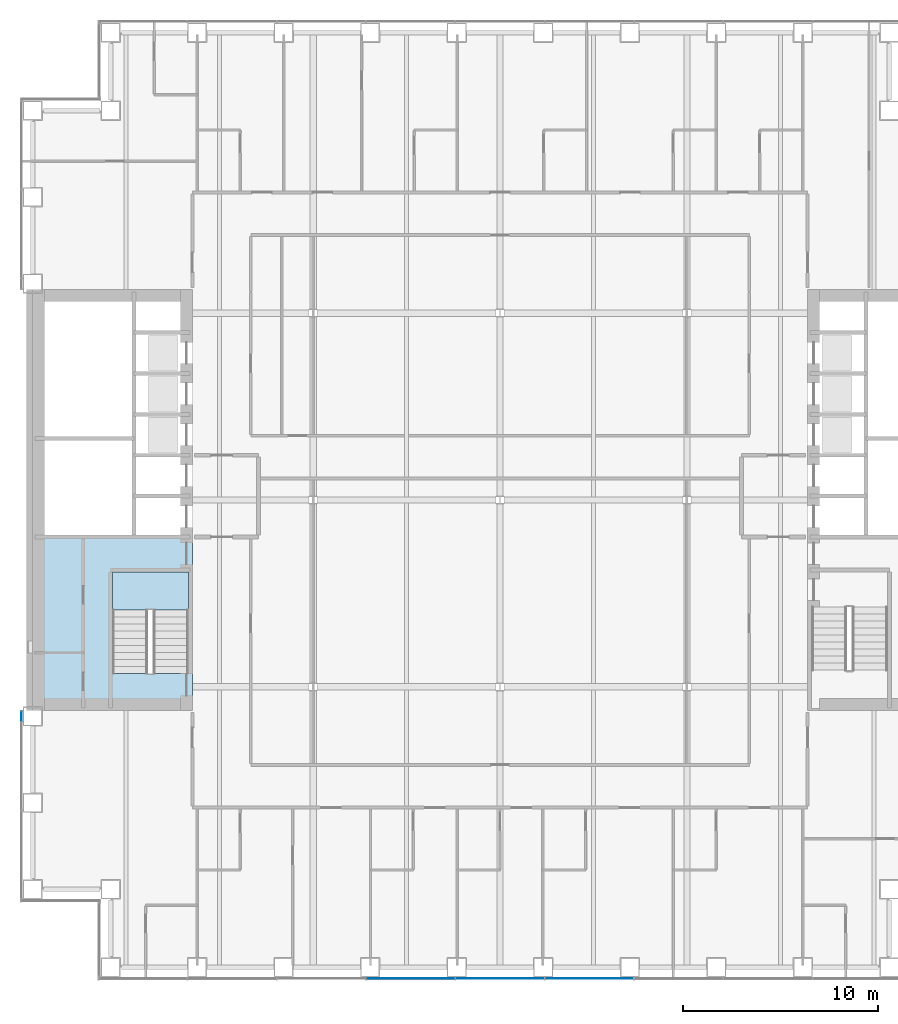
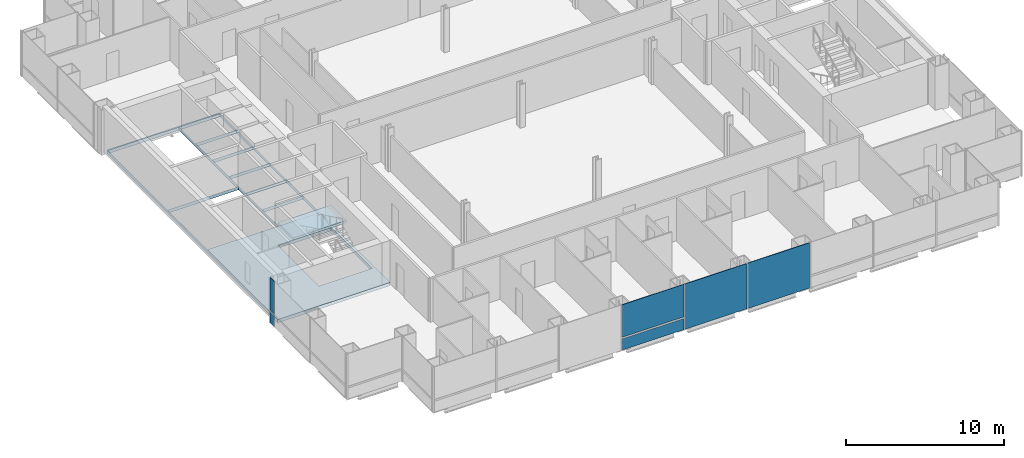
# One storey, part 12 of 21: 6 plates, 2 slabs, 3 elements without a shape of their own.
"""IFC4 building model written with IfcOpenShell, lengths in metres."""

from ifc_helpers import new_model, si_unit, direction, frame, origin, origin_2d, place, context, subcontext, project, spatial, polyline, rectangle, outline, extrude, material, layer, layer_set, type_object, element, aggregate, save


model = new_model("IFC4")

# Units and contexts
model_context = context("Model", 3, precision=1e-05, world=origin(), true_north=direction((0.0, 1.0)))
body_context = subcontext(model_context, "Body", "Model", "MODEL_VIEW")
ifc_project = project(units=[si_unit("LENGTHUNIT", "METRE"), si_unit("AREAUNIT", "SQUARE_METRE"), si_unit("VOLUMEUNIT", "CUBIC_METRE"), si_unit("PLANEANGLEUNIT", "RADIAN"), si_unit("MASSUNIT", "GRAM", prefix="KILO")], contexts=[model_context])

# Site, building, storey
site_placement = place(None, origin())
site = spatial("IfcSite", under=ifc_project, at=site_placement, CompositionType="ELEMENT")
building_placement = place(site_placement, origin())
building = spatial("IfcBuilding", under=site, at=building_placement, Name="Cobrizo Arcos Hotel Tower", CompositionType="ELEMENT")
storey_placement = place(building_placement, frame((0.0, 0.0, 42.5)))
storey = spatial("IfcBuildingStorey", under=building, at=storey_placement, Name="L08", CompositionType="ELEMENT", Elevation=42.5)

# Curtain wall, plate
ifc_material_1 = material(Name="Aluminium 6063-T6 anodised bronze", Category="aluminium")
curtain_wall_type = type_object("IfcCurtainWallType", Name="CW-A guest facade", PredefinedType="NOTDEFINED", material=ifc_material_1)
curtain_wall_1_placement = place(storey_placement, origin())
curtain_wall_1 = element("IfcCurtainWall", 1, at=curtain_wall_1_placement, inside=storey, type_object=curtain_wall_type, Name="CW-A L08 S face", PredefinedType="NOTDEFINED")
ifc_material_2 = material(Name="Glass clear laminated low-e", Category="glass")
ifc_layer_1 = layer(ifc_material_2, 0.0400390625)
ifc_layer_set_1 = layer_set([ifc_layer_1], Name="CW-A glass panel")
plate_type_1 = type_object("IfcPlateType", Name="CW-A glass panel", PredefinedType="CURTAIN_PANEL", material=ifc_layer_set_1)
plate_1_placement = place(storey_placement, frame((-4.5888671875, -24.574951171875, 0.990234375), z_axis=(0.0, 0.0, 1.0), x_axis=(1.0, 0.0, 0.0)))
plate_1 = element("IfcPlate", 2, at=plate_1_placement, type_object=plate_type_1, Name="CW-A glass panel 402", PredefinedType="CURTAIN_PANEL", context=body_context, shape_type="SweptSolid", body=[
    extrude(rectangle(XDim=4.52880859375, YDim=0.0400390625, at=origin_2d()), origin(), (0.0, 0.0, 1.0), 2.510009765625),
])

curtain_wall_2_placement = place(storey_placement, origin())
curtain_wall_2 = element("IfcCurtainWall", 3, at=curtain_wall_2_placement, inside=storey, type_object=curtain_wall_type, Name="CW-A L08 W face", PredefinedType="NOTDEFINED")
plate_2_placement = place(storey_placement, frame((-24.574951171875, -11.109375, 0.990234375), z_axis=(0.0, 0.0, 1.0), x_axis=(0.0, -1.0, 0.0)))
plate_2 = element("IfcPlate", 4, at=plate_2_placement, type_object=plate_type_1, Name="CW-A glass panel 432", PredefinedType="CURTAIN_PANEL", context=body_context, shape_type="SweptSolid", body=[
    extrude(rectangle(XDim=0.498779296875, YDim=0.0400390625, at=origin_2d()), origin(), (0.0, 0.0, 1.0), 2.510009765625),
])

# Plate
ifc_material_3 = material(Name="Aluminium composite panel pale metal", Category="aluminium")
ifc_layer_2 = layer(ifc_material_3, 0.0400390625)
ifc_layer_set_2 = layer_set([ifc_layer_2], Name="CW-A spandrel panel")
plate_type_2 = type_object("IfcPlateType", Name="CW-A spandrel panel", PredefinedType="CURTAIN_PANEL", material=ifc_layer_set_2)
plate_3_placement = place(storey_placement, frame((-4.5888671875, -24.574951171875, 0.0), z_axis=(0.0, 0.0, 1.0), x_axis=(1.0, 0.0, 0.0)))
plate_3 = element("IfcPlate", 5, at=plate_3_placement, type_object=plate_type_2, Name="CW-A spandrel panel 402", PredefinedType="CURTAIN_PANEL", context=body_context, shape_type="SweptSolid", body=[
    extrude(rectangle(XDim=4.52880859375, YDim=0.0400390625, at=origin_2d()), origin(), (0.0, 0.0, 1.0), 0.8701171875),
])

plate_4_placement = place(storey_placement, frame((0.0, -24.574951171875, 0.0), z_axis=(0.0, 0.0, 1.0), x_axis=(1.0, 0.0, 0.0)))
plate_4 = element("IfcPlate", 6, at=plate_4_placement, type_object=plate_type_2, Name="CW-A spandrel panel 403", PredefinedType="CURTAIN_PANEL", context=body_context, shape_type="SweptSolid", body=[
    extrude(rectangle(XDim=4.52880859375, YDim=0.0400390625, at=origin_2d()), origin(), (0.0, 0.0, 1.0), 3.5),
])

plate_5_placement = place(storey_placement, frame((4.5888671875, -24.574951171875, 0.0), z_axis=(0.0, 0.0, 1.0), x_axis=(1.0, 0.0, 0.0)))
plate_5 = element("IfcPlate", 7, at=plate_5_placement, type_object=plate_type_2, Name="CW-A spandrel panel 404", PredefinedType="CURTAIN_PANEL", context=body_context, shape_type="SweptSolid", body=[
    extrude(rectangle(XDim=4.52880859375, YDim=0.0400390625, at=origin_2d()), origin(), (0.0, 0.0, 1.0), 3.5),
])

aggregate(curtain_wall_1, [plate_3, plate_1, plate_4, plate_5])

plate_6_placement = place(storey_placement, frame((-24.574951171875, -11.109375, 0.0), z_axis=(0.0, 0.0, 1.0), x_axis=(0.0, -1.0, 0.0)))
plate_6 = element("IfcPlate", 8, at=plate_6_placement, type_object=plate_type_2, Name="CW-A spandrel panel 432", PredefinedType="CURTAIN_PANEL", context=body_context, shape_type="SweptSolid", body=[
    extrude(rectangle(XDim=0.498779296875, YDim=0.0400390625, at=origin_2d()), origin(), (0.0, 0.0, 1.0), 0.8701171875),
])

aggregate(curtain_wall_2, [plate_6, plate_2])

# Slab
ifc_material_4 = material(Name="Concrete f'c 60 MPa", Category="concrete")
ifc_layer_3 = layer(ifc_material_4, 0.25)
ifc_layer_set_3 = layer_set([ifc_layer_3], Name="RC core floor slab 250 f'c 60")
slab_type_1 = type_object("IfcSlabType", Name="RC core floor slab 250 f'c 60", PredefinedType="FLOOR", material=ifc_layer_set_3)
slab_1_placement = place(storey_placement, frame((0.0, 0.0, -0.25)))
element("IfcSlab", 9, at=slab_1_placement, inside=storey, type_object=slab_type_1, Name="Core floor slab CS3, west core, L08", PredefinedType="FLOOR", context=body_context, shape_type="SweptSolid", body=[
    extrude(outline(polyline([(-24.0, 10.800048828125), (-15.800048828125, 10.800048828125), (-15.800048828125, -10.800048828125), (-24.0, -10.800048828125), (-24.0, 10.800048828125)]), holes=[polyline([(-19.89794921875, -3.701904296875), (-19.89794921875, -8.89794921875), (-16.001953125, -8.89794921875), (-16.001953125, -3.701904296875), (-19.89794921875, -3.701904296875)]), polyline([(-15.802001953125, 0.197998046875), (-18.798095703125, 0.197998046875), (-18.798095703125, -1.89794921875), (-15.802001953125, -1.89794921875), (-15.802001953125, 0.197998046875)]), polyline([(-18.802001953125, 3.137939453125), (-23.998046875, 3.137939453125), (-23.998046875, -1.89794921875), (-18.802001953125, -1.89794921875), (-18.802001953125, 3.137939453125)]), polyline([(-15.802001953125, 2.298095703125), (-18.798095703125, 2.298095703125), (-18.798095703125, 0.201904296875), (-15.802001953125, 0.201904296875), (-15.802001953125, 2.298095703125)]), polyline([(-15.802001953125, 4.39794921875), (-18.798095703125, 4.39794921875), (-18.798095703125, 2.302001953125), (-15.802001953125, 2.302001953125), (-15.802001953125, 4.39794921875)]), polyline([(-15.802001953125, 6.498046875), (-18.798095703125, 6.498046875), (-18.798095703125, 4.402099609375), (-15.802001953125, 4.402099609375), (-15.802001953125, 6.498046875)]), polyline([(-18.802001953125, 10.697998046875), (-23.998046875, 10.697998046875), (-23.998046875, 3.14208984375), (-18.802001953125, 3.14208984375), (-18.802001953125, 10.697998046875)]), polyline([(-15.802001953125, 8.597900390625), (-18.798095703125, 8.597900390625), (-18.798095703125, 6.501953125), (-15.802001953125, 6.501953125), (-15.802001953125, 8.597900390625)]), polyline([(-15.802001953125, 10.697998046875), (-18.798095703125, 10.697998046875), (-18.798095703125, 8.60205078125), (-15.802001953125, 8.60205078125), (-15.802001953125, 10.697998046875)])]), origin(), (0.0, 0.0, 1.0), 0.25),
])

# Stair, slab
ifc_material_5 = material(Name="Concrete f'c 40 MPa", Category="concrete")
stair_type = type_object("IfcStairType", Name="Exit stair", PredefinedType="HALF_TURN_STAIR", material=ifc_material_5)
stair_placement = place(storey_placement, origin())
stair = element("IfcStair", 10, at=stair_placement, inside=storey, type_object=stair_type, Name="L08 Exit stair ST-W", PredefinedType="HALF_TURN_STAIR")
ifc_layer_4 = layer(ifc_material_5, 0.199951171875)
ifc_layer_set_4 = layer_set([ifc_layer_4], Name="Stair landing")
slab_type_2 = type_object("IfcSlabType", Name="Stair landing", PredefinedType="LANDING", material=ifc_layer_set_4)
slab_2_placement = place(storey_placement, frame((0.0, 0.0, 1.550048828125)))
slab_2 = element("IfcSlab", 11, at=slab_2_placement, type_object=slab_type_2, Name="ST-W landing 1", PredefinedType="LANDING", context=body_context, shape_type="SweptSolid", body=[
    extrude(outline(polyline([(-16.0, -5.659912109375), (-16.0, -3.699951171875), (-19.89990234375, -3.699951171875), (-19.89990234375, -5.659912109375), (-16.0, -5.659912109375)])), origin(), (0.0, 0.0, 1.0), 0.199951171875),
])
aggregate(stair, [slab_2])

save(model, "model.ifc")
